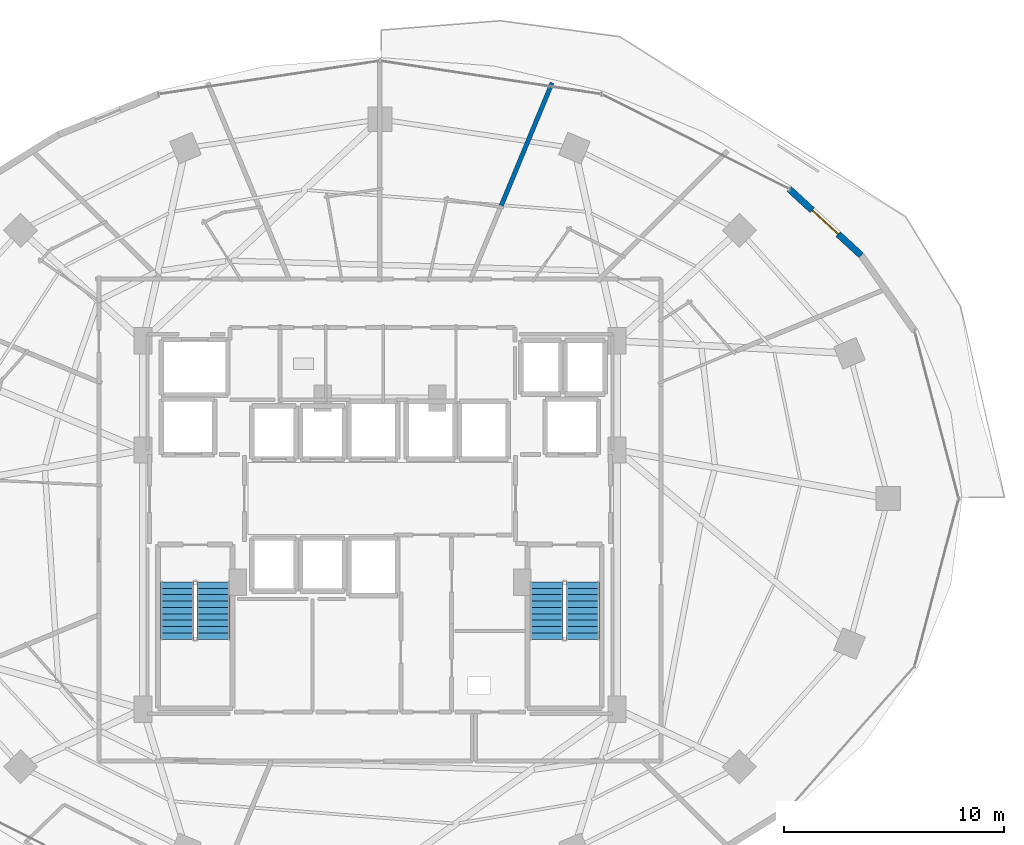
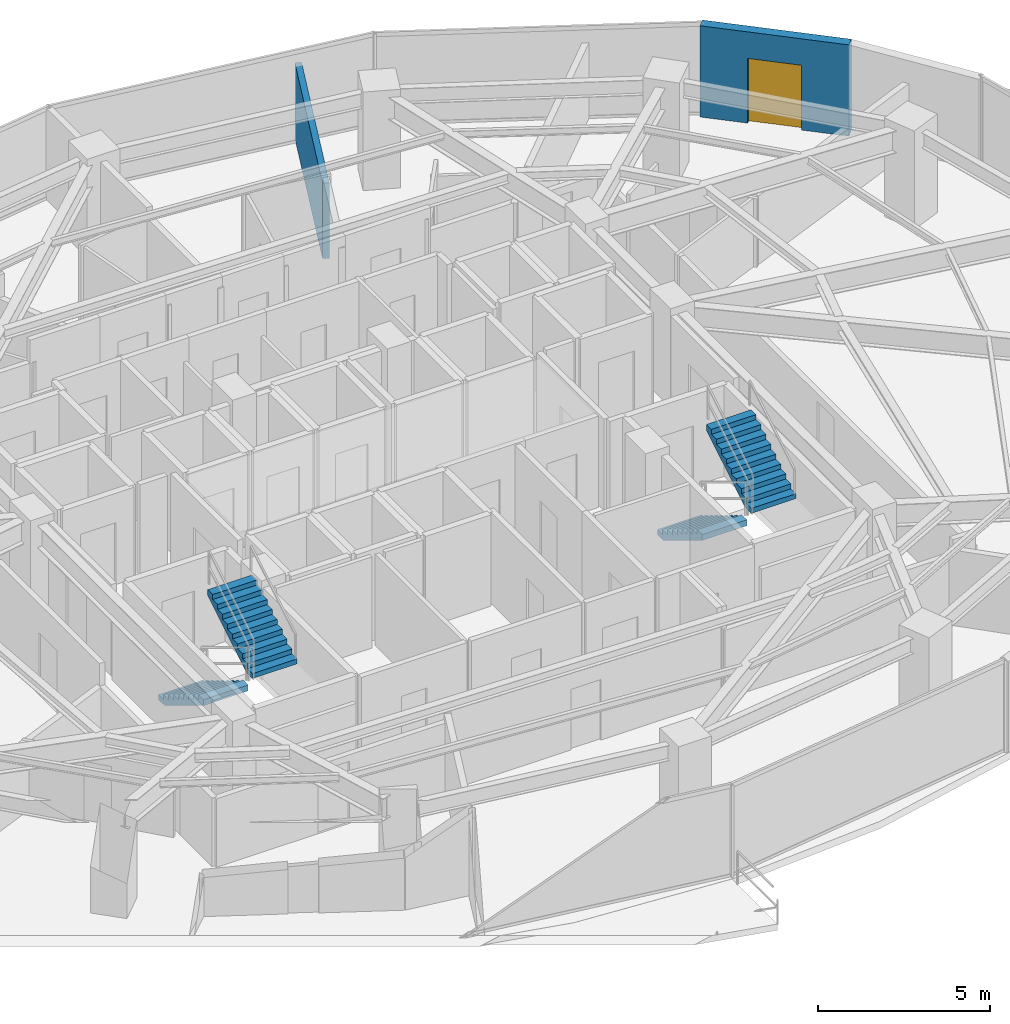
# One storey, part 28 of 31: 4 stair flights, 2 walls, 1 door, 1 opening, 2 elements without a shape of their own.
"""IFC4 building model written with IfcOpenShell, lengths in metres."""

from ifc_helpers import new_model, si_unit, direction, frame, frame_2d, origin, place, context, subcontext, project, spatial, polyline, rectangle, outline, extrude, material, layer, layer_set, type_object, element, fill, aggregate, save


model = new_model("IFC4")

# Units and contexts
model_context = context("Model", 3, precision=1e-05, world=origin(), true_north=direction((0.0, 1.0)))
body_context = subcontext(model_context, "Body", "Model", "MODEL_VIEW")
ifc_project = project(units=[si_unit("LENGTHUNIT", "METRE"), si_unit("AREAUNIT", "SQUARE_METRE"), si_unit("VOLUMEUNIT", "CUBIC_METRE"), si_unit("PLANEANGLEUNIT", "RADIAN"), si_unit("MASSUNIT", "GRAM", prefix="KILO")], contexts=[model_context])

# Site, building, storey
site_placement = place(None, origin())
site = spatial("IfcSite", under=ifc_project, at=site_placement, CompositionType="ELEMENT")
building_placement = place(site_placement, origin())
building = spatial("IfcBuilding", under=site, at=building_placement, Name="Vorneva Point Tower", CompositionType="ELEMENT")
storey_placement = place(building_placement, frame((0.0, 0.0, 99.800048828125)))
storey = spatial("IfcBuildingStorey", under=building, at=storey_placement, Name="L26", CompositionType="ELEMENT", Elevation=99.800048828125)

# Wall, opening, door
ifc_material_1 = material(Name="Precast concrete B50 (C40/50)", Category="concrete")
ifc_layer_1 = layer(ifc_material_1, 0.300048828125)
ifc_layer_set_1 = layer_set([ifc_layer_1], Name="Precast concrete B50 (C40/50)")
wall_type_1 = type_object("IfcWallType", Name="WL-EXT-300", PredefinedType="STANDARD", material=ifc_layer_set_1)
wall_1_placement = place(storey_placement, frame((59.826171875, 37.028076171875, 0.0), z_axis=(0.0, 0.0, 1.0), x_axis=(-0.735416718093, 0.677615119924, 0.0)))
wall_1 = element("IfcWall", 1, at=wall_1_placement, inside=storey, type_object=wall_type_1, Name="L26 Pale-Metal Facade Spandrel Wall 02.2", PredefinedType="STANDARD", context=body_context, shape_type="SweptSolid", body=[
    extrude(rectangle(XDim=4.439208984375, YDim=0.300048828125, at=frame_2d((2.2197265625, 0.0))), origin(), (0.0, 0.0, 1.0), 3.239990234375),
])
opening_placement = place(wall_1_placement, frame((1.41943359375, 0.0, 0.0)))
opening = element("IfcOpeningElement", 2, at=opening_placement, cuts=wall_1, Name="Opening BD-01", PredefinedType="OPENING", context=body_context, shape_type="SweptSolid", body=[
    extrude(rectangle(XDim=1.60009765625, YDim=2.300048828125, at=frame_2d((0.800048828125, 1.14990234375))), frame((0.0, 0.1650390625, 0.0), z_axis=(0.0, -1.0, 0.0), x_axis=(1.0, 0.0, 0.0)), (0.0, 0.0, 1.0), 0.329833984375),
])
ifc_material_2 = material(Name="Pale anodised aluminium", Category="aluminium")
door_type = type_object("IfcDoorType", Name="DR-BAL-1600", OperationType="SLIDING_TO_LEFT", PredefinedType="DOOR", material=ifc_material_2)
door_placement = place(opening_placement, origin())
door = element("IfcDoor", 3, at=door_placement, inside=storey, type_object=door_type, Name="L26 Balcony Terrace Access Door 02", OperationType="SLIDING_TO_LEFT", OverallHeight=2.300048828125, OverallWidth=1.60009765625, PredefinedType="DOOR", context=body_context, shape_type="SweptSolid", body=[
    extrude(rectangle(XDim=1.60009765625, YDim=2.300048828125, at=frame_2d((0.800048828125, 1.14990234375))), frame((0.0, 0.02490234375, 0.0), z_axis=(0.0, -1.0, 0.0), x_axis=(1.0, 0.0, 0.0)), (0.0, 0.0, 1.0), 0.050048828125),
])
fill(opening, door)

# Wall
ifc_material_3 = material(Name="Autoclaved aerated concrete blockwork", Category="masonry")
ifc_layer_2 = layer(ifc_material_3, 0.199951171875)
ifc_layer_set_2 = layer_set([ifc_layer_2], Name="Autoclaved aerated concrete blockwork")
wall_type_2 = type_object("IfcWallType", Name="WL-PART-200", PredefinedType="PARTITIONING", material=ifc_layer_set_2)
wall_2_placement = place(storey_placement, frame((45.80810546875, 44.85107421875, 0.0), z_axis=(0.0, 0.0, 1.0), x_axis=(-0.382705075352, -0.923870567395, 0.0)))
element("IfcWall", 4, at=wall_2_placement, inside=storey, type_object=wall_type_2, Name="L26 Interior Partition 061", PredefinedType="PARTITIONING", context=body_context, shape_type="SweptSolid", body=[
    extrude(rectangle(XDim=6.164306640625, YDim=0.199951171875, at=frame_2d((3.08203125, 0.0))), origin(), (0.0, 0.0, 1.0), 2.677001953125),
])

# Stair, stair flights
ifc_material_4 = material(Name="Concrete B50 (C40/50)", Category="concrete")
stair_type = type_object("IfcStairType", Name="ST-DOG-1500", PredefinedType="HALF_TURN_STAIR", material=ifc_material_4)
stair_1_placement = place(storey_placement, origin())
stair_1 = element("IfcStair", 5, at=stair_1_placement, inside=storey, type_object=stair_type, Name="L26 ST1", PredefinedType="HALF_TURN_STAIR")
stair_flight_type = type_object("IfcStairFlightType", Name="STF-1500", PredefinedType="STRAIGHT", material=ifc_material_4)
stair_flight_1_placement = place(storey_placement, frame((28.800048828125, 22.219970703125, 0.0), z_axis=(0.0, 0.0, 1.0), x_axis=(0.0, -1.0, 0.0)))
stair_flight_1 = element("IfcStairFlight", 6, at=stair_flight_1_placement, type_object=stair_flight_type, Name="ST1 flight 1", NumberOfRisers=10, NumberOfTreads=9, PredefinedType="STRAIGHT", RiserHeight=0.175, TreadLength=0.29, context=body_context, shape_type="SweptSolid", body=[
    extrude(outline(polyline([(0.0, 0.0), (0.0, 0.175048828125), (0.2900390625, 0.175048828125), (0.2900390625, 0.35009765625), (0.580078125, 0.35009765625), (0.580078125, 0.52490234375), (0.8701171875, 0.52490234375), (0.8701171875, 0.699951171875), (1.159912109375, 0.699951171875), (1.159912109375, 0.875), (1.449951171875, 0.875), (1.449951171875, 1.050048828125), (1.739990234375, 1.050048828125), (1.739990234375, 1.22509765625), (2.030029296875, 1.22509765625), (2.030029296875, 1.39990234375), (2.320068359375, 1.39990234375), (2.320068359375, 1.574951171875), (2.610107421875, 1.574951171875), (2.610107421875, 1.75), (2.610107421875, 1.36474609375), (0.34814453125, 0.0), (0.0, 0.0)])), frame((0.0, 0.75, 0.0), z_axis=(0.0, -1.0, 0.0), x_axis=(1.0, 0.0, 0.0)), (0.0, 0.0, 1.0), 1.5),
])
stair_flight_2_placement = place(storey_placement, frame((30.449951171875, 19.610107421875, 1.75), z_axis=(0.0, 0.0, 1.0), x_axis=(0.0, 1.0, 0.0)))
stair_flight_2 = element("IfcStairFlight", 7, at=stair_flight_2_placement, type_object=stair_flight_type, Name="ST1 flight 2", NumberOfRisers=10, NumberOfTreads=9, PredefinedType="STRAIGHT", RiserHeight=0.175, TreadLength=0.29, context=body_context, shape_type="SweptSolid", body=[
    extrude(outline(polyline([(0.0, 0.0), (0.0, 0.175048828125), (0.2900390625, 0.175048828125), (0.2900390625, 0.35009765625), (0.580078125, 0.35009765625), (0.580078125, 0.52490234375), (0.8701171875, 0.52490234375), (0.8701171875, 0.699951171875), (1.159912109375, 0.699951171875), (1.159912109375, 0.875), (1.449951171875, 0.875), (1.449951171875, 1.050048828125), (1.739990234375, 1.050048828125), (1.739990234375, 1.22509765625), (2.030029296875, 1.22509765625), (2.030029296875, 1.39990234375), (2.320068359375, 1.39990234375), (2.320068359375, 1.574951171875), (2.610107421875, 1.574951171875), (2.610107421875, 1.75), (2.610107421875, 1.36474609375), (0.34814453125, 0.0), (0.0, 0.0)])), frame((0.0, 0.75, 0.0), z_axis=(0.0, -1.0, 0.0), x_axis=(1.0, 0.0, 0.0)), (0.0, 0.0, 1.0), 1.5),
])
aggregate(stair_1, [stair_flight_1, stair_flight_2])

stair_2_placement = place(storey_placement, origin())
stair_2 = element("IfcStair", 8, at=stair_2_placement, inside=storey, type_object=stair_type, Name="L26 ST2", PredefinedType="HALF_TURN_STAIR")
stair_flight_3_placement = place(storey_placement, frame((45.550048828125, 22.219970703125, 0.0), z_axis=(0.0, 0.0, 1.0), x_axis=(0.0, -1.0, 0.0)))
stair_flight_3 = element("IfcStairFlight", 9, at=stair_flight_3_placement, type_object=stair_flight_type, Name="ST2 flight 1", NumberOfRisers=10, NumberOfTreads=9, PredefinedType="STRAIGHT", RiserHeight=0.175, TreadLength=0.29, context=body_context, shape_type="SweptSolid", body=[
    extrude(outline(polyline([(0.0, 0.0), (0.0, 0.175048828125), (0.2900390625, 0.175048828125), (0.2900390625, 0.35009765625), (0.580078125, 0.35009765625), (0.580078125, 0.52490234375), (0.8701171875, 0.52490234375), (0.8701171875, 0.699951171875), (1.159912109375, 0.699951171875), (1.159912109375, 0.875), (1.449951171875, 0.875), (1.449951171875, 1.050048828125), (1.739990234375, 1.050048828125), (1.739990234375, 1.22509765625), (2.030029296875, 1.22509765625), (2.030029296875, 1.39990234375), (2.320068359375, 1.39990234375), (2.320068359375, 1.574951171875), (2.610107421875, 1.574951171875), (2.610107421875, 1.75), (2.610107421875, 1.36474609375), (0.34814453125, 0.0), (0.0, 0.0)])), frame((0.0, 0.75, 0.0), z_axis=(0.0, -1.0, 0.0), x_axis=(1.0, 0.0, 0.0)), (0.0, 0.0, 1.0), 1.5),
])
stair_flight_4_placement = place(storey_placement, frame((47.199951171875, 19.610107421875, 1.75), z_axis=(0.0, 0.0, 1.0), x_axis=(0.0, 1.0, 0.0)))
stair_flight_4 = element("IfcStairFlight", 10, at=stair_flight_4_placement, type_object=stair_flight_type, Name="ST2 flight 2", NumberOfRisers=10, NumberOfTreads=9, PredefinedType="STRAIGHT", RiserHeight=0.175, TreadLength=0.29, context=body_context, shape_type="SweptSolid", body=[
    extrude(outline(polyline([(0.0, 0.0), (0.0, 0.175048828125), (0.2900390625, 0.175048828125), (0.2900390625, 0.35009765625), (0.580078125, 0.35009765625), (0.580078125, 0.52490234375), (0.8701171875, 0.52490234375), (0.8701171875, 0.699951171875), (1.159912109375, 0.699951171875), (1.159912109375, 0.875), (1.449951171875, 0.875), (1.449951171875, 1.050048828125), (1.739990234375, 1.050048828125), (1.739990234375, 1.22509765625), (2.030029296875, 1.22509765625), (2.030029296875, 1.39990234375), (2.320068359375, 1.39990234375), (2.320068359375, 1.574951171875), (2.610107421875, 1.574951171875), (2.610107421875, 1.75), (2.610107421875, 1.36474609375), (0.34814453125, 0.0), (0.0, 0.0)])), frame((0.0, 0.75, 0.0), z_axis=(0.0, -1.0, 0.0), x_axis=(1.0, 0.0, 0.0)), (0.0, 0.0, 1.0), 1.5),
])
aggregate(stair_2, [stair_flight_3, stair_flight_4])

save(model, "model.ifc")
